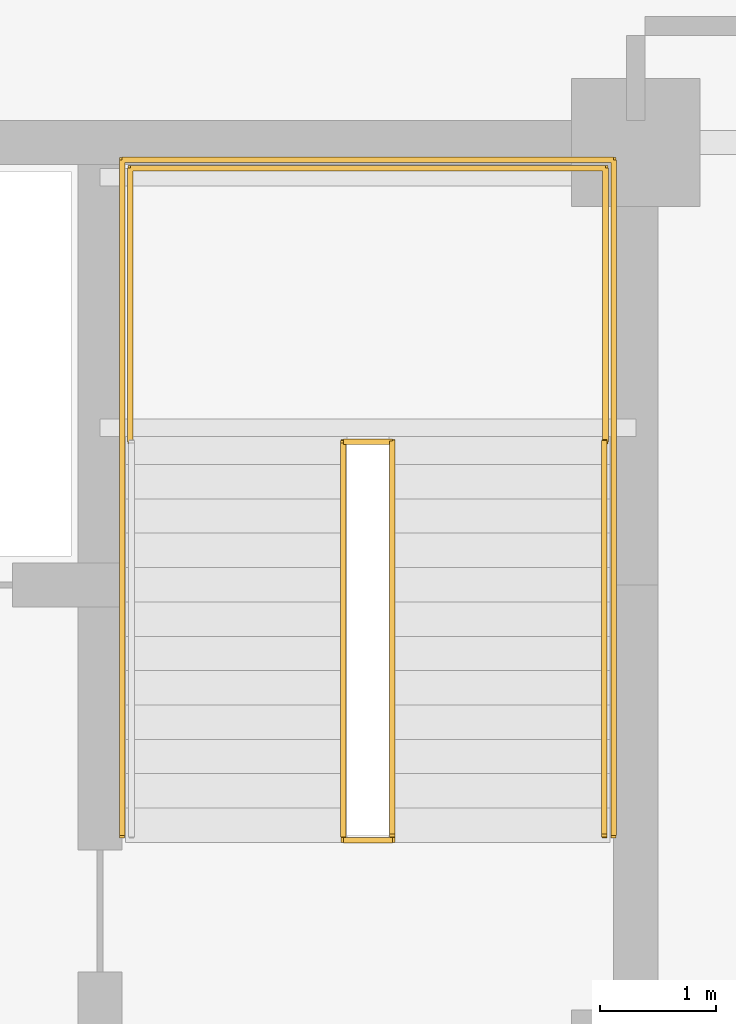
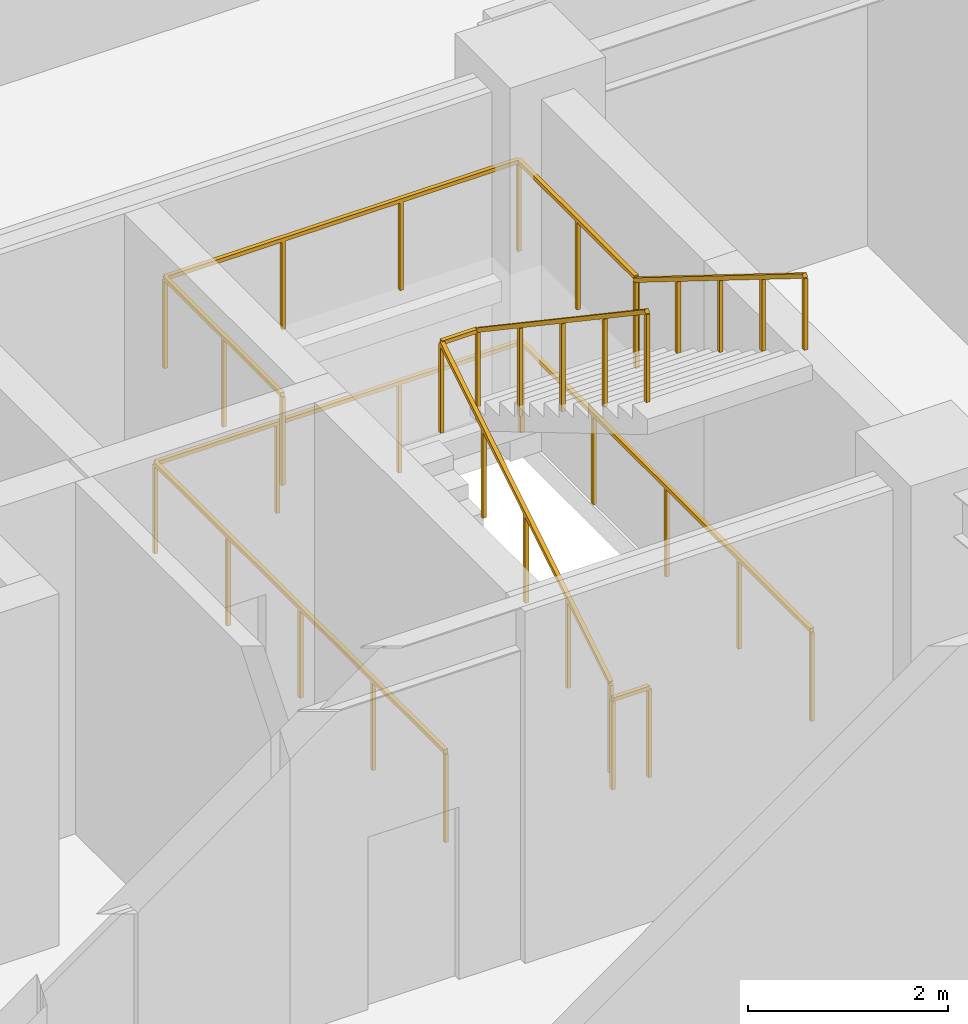
# One storey, part 26 of 26: 5 railings.
"""IFC4 building model written with IfcOpenShell, lengths in metres."""

import ifcopenshell
import ifcopenshell.guid

model = None  # the IFC model being written
_history = None  # IfcOwnerHistory: only IFC2X3 demands one
_inside = {}  # id of a spatial element -> (the spatial element, [elements in it])
_under = {}  # id of a project, library or spatial element -> (it, [spatial elements below it])
_declared = {}  # id of a project -> (the project, [libraries it declares])
_typed = {}  # id of a type object -> (the type object, [elements of that type])
_made_of = {}  # id of a material, layer set ... -> (it, [elements and type objects made of it])


def new_model(schema):
    """Start an empty IFC model of exactly this schema.

    Asked for "IFC4X3", IfcOpenShell would pick the latest addendum, in which some entities
    have other attributes; the version numbers below select the first issue.
    IFC2X3 requires an IfcOwnerHistory on every rooted entity: one is made here for all.
    """
    global model, _history
    if schema == "IFC4X3":
        model = ifcopenshell.file(schema_version=(4, 3, 0, 0))
    else:
        model = ifcopenshell.file(schema=schema)
    _inside.clear()
    _under.clear()
    _declared.clear()
    _typed.clear()
    _made_of.clear()
    _history = None
    if model.schema == "IFC2X3":
        org = make("IfcOrganization", Name="unknown")
        user = make(
            "IfcPersonAndOrganization",
            ThePerson=make("IfcPerson", FamilyName="unknown"),
            TheOrganization=org,
        )
        app = make(
            "IfcApplication",
            ApplicationDeveloper=org,
            Version="unknown",
            ApplicationFullName="unknown",
            ApplicationIdentifier="unknown",
        )
        _history = make(
            "IfcOwnerHistory",
            OwningUser=user,
            OwningApplication=app,
            ChangeAction="ADDED",
            CreationDate=0,
        )
    return model


def make(cls, **values):
    """One entity of the class cls with the attributes given. An attribute that is None is left unset."""
    return model.create_entity(
        cls, **{name: value for name, value in values.items() if value is not None}
    )


def rooted(cls, **values):
    """An entity with a GlobalId (a new one), such as an element, a storey or a relation."""
    return make(cls, GlobalId=ifcopenshell.guid.new(), OwnerHistory=_history, **values)


def si_unit(unit_type, name, prefix=None):
    """IfcSIUnit, for example si_unit("LENGTHUNIT", "METRE", prefix="MILLI")."""
    return make("IfcSIUnit", UnitType=unit_type, Prefix=prefix, Name=name)


def assignment(units):
    """IfcUnitAssignment: the units of a project."""
    return None if units is None else make("IfcUnitAssignment", Units=units)


def point(xyz):
    """IfcCartesianPoint."""
    return None if xyz is None else make("IfcCartesianPoint", Coordinates=xyz)


def direction(xyz):
    """IfcDirection."""
    return None if xyz is None else make("IfcDirection", DirectionRatios=xyz)


def frame(location, z_axis=None, x_axis=None):
    """IfcAxis2Placement3D, a coordinate frame: its origin and axes. An axis left out is left unset."""
    return make(
        "IfcAxis2Placement3D",
        Location=point(location),
        Axis=direction(z_axis),
        RefDirection=direction(x_axis),
    )


def frame_2d(location, x_axis=None):
    """IfcAxis2Placement2D, a coordinate frame in the plane: its origin and x axis."""
    return make(
        "IfcAxis2Placement2D", Location=point(location), RefDirection=direction(x_axis)
    )


def origin():
    """The frame at (0, 0, 0) with its axes left unset."""
    return frame((0.0, 0.0, 0.0))


def origin_2d():
    """The frame at (0, 0) in the plane with its x axis left unset."""
    return frame_2d((0.0, 0.0))


def place(relative_to, where):
    """IfcLocalPlacement: puts the frame where relative to a parent placement (None: the world)."""
    return make(
        "IfcLocalPlacement", PlacementRelTo=relative_to, RelativePlacement=where
    )


def context(
    kind, dimensions, precision=None, world=None, true_north=None, identifier=None
):
    """IfcGeometricRepresentationContext, for example the 3D "Model" context."""
    return make(
        "IfcGeometricRepresentationContext",
        ContextIdentifier=identifier,
        ContextType=kind,
        CoordinateSpaceDimension=dimensions,
        Precision=precision,
        WorldCoordinateSystem=world,
        TrueNorth=true_north,
    )


def subcontext(parent, identifier, kind, view, scale=None):
    """IfcGeometricRepresentationSubContext, for example "Body" below "Model"."""
    return make(
        "IfcGeometricRepresentationSubContext",
        ContextIdentifier=identifier,
        ContextType=kind,
        ParentContext=parent,
        TargetScale=scale,
        TargetView=view,
    )


def project(units=None, contexts=None):
    """IfcProject with its units and contexts."""
    return rooted(
        "IfcProject",
        Name="project",
        RepresentationContexts=contexts,
        UnitsInContext=assignment(units),
    )


def spatial(cls, under=None, at=None, **own):
    """A site, building, storey or space (cls), placed at a placement, below another one or the project."""
    s = rooted(cls, ObjectPlacement=at, **own)
    if under is not None:
        _under.setdefault(under.id(), (under, []))[1].append(s)
    return s


def profile(cls, at=None, kind="AREA", **sizes):
    """A parametric profile (cls). Its sizes go by their IFC names, for example OverallWidth=200.0."""
    return make(cls, ProfileType=kind, Position=at, **sizes)


def rectangle(**sizes):
    """IfcRectangleProfileDef."""
    return profile("IfcRectangleProfileDef", **sizes)


def extrude(swept, where, along, depth):
    """IfcExtrudedAreaSolid: the profile swept, set in the frame where, extruded along a direction by depth."""
    return make(
        "IfcExtrudedAreaSolid",
        SweptArea=swept,
        Position=where,
        ExtrudedDirection=direction(along),
        Depth=depth,
    )


def shape(context_of_items, identifier, shape_type, items):
    """IfcShapeRepresentation: the items that make up one representation, for example the "Body"."""
    return make(
        "IfcShapeRepresentation",
        ContextOfItems=context_of_items,
        RepresentationIdentifier=identifier,
        RepresentationType=shape_type,
        Items=items,
    )


def material(Name=None, Category=None):
    """IfcMaterial."""
    return make("IfcMaterial", Name=Name, Category=Category)


def layer(
    of_material, thickness, ventilated=None, Name=None, Category=None, Priority=None
):
    """IfcMaterialLayer: one layer of a wall or slab, of a material (None: an air gap)."""
    return make(
        "IfcMaterialLayer",
        Material=of_material,
        LayerThickness=thickness,
        IsVentilated=ventilated,
        Name=Name,
        Category=Category,
        Priority=Priority,
    )


def layer_set(layers, Name=None):
    """IfcMaterialLayerSet."""
    return make("IfcMaterialLayerSet", MaterialLayers=layers, LayerSetName=Name)


def made_of(thing, what):
    """Note that an element or type object is made of a material, layer set ...; save() writes the relation."""
    if what is not None:
        _made_of.setdefault(what.id(), (what, []))[1].append(thing)
    return thing


def type_object(cls, material=None, **own):
    """A type object (cls), such as IfcWallType, which elements share."""
    return made_of(rooted(cls, **own), material)


def element(
    cls,
    number,
    at=None,
    inside=None,
    cuts=None,
    type_object=None,
    material=None,
    context=None,
    identifier="Body",
    shape_type=None,
    held_by="IfcProductDefinitionShape",
    body=None,
    shapes=None,
    **own,
):
    """One element of the class cls, such as IfcWall. Its Tag is "e" and its number.

    at: its placement. inside: the storey or other place that contains it. cuts: it is an
    opening in that element (IfcRelVoidsElement). A single representation is given by context,
    identifier, shape_type and body (its items); several are given by shapes. held_by: the class
    of the entity that holds the representations. save() writes the other relations.
    """
    e = rooted(cls, Tag="e%d" % number, ObjectPlacement=at, **own)
    if body is not None:
        shapes = [shape(context, identifier, shape_type, body)]
    if shapes is not None:
        e.Representation = make(held_by, Representations=shapes)
    if inside is not None:
        _inside.setdefault(inside.id(), (inside, []))[1].append(e)
    if cuts is not None:
        rooted(
            "IfcRelVoidsElement", RelatingBuildingElement=cuts, RelatedOpeningElement=e
        )
    if type_object is not None:
        _typed.setdefault(type_object.id(), (type_object, []))[1].append(e)
    return made_of(e, material)


def aggregate(whole, parts):
    """IfcRelAggregates: a whole, such as a stair, and the parts it consists of."""
    return rooted("IfcRelAggregates", RelatingObject=whole, RelatedObjects=parts)


def save(model, path):
    """Write the relations noted so far, then the file.

    IfcRelAggregates (storeys below a building ...), IfcRelContainedInSpatialStructure (elements
    in a storey), IfcRelDefinesByType, IfcRelAssociatesMaterial and IfcRelDeclares: one each for
    every whole, place, type object, material and project.
    """
    for whole, parts in _under.values():
        aggregate(whole, parts)
    for where, things in _inside.values():
        rooted(
            "IfcRelContainedInSpatialStructure",
            RelatedElements=things,
            RelatingStructure=where,
        )
    for kind, things in _typed.values():
        rooted("IfcRelDefinesByType", RelatedObjects=things, RelatingType=kind)
    for what, things in _made_of.values():
        rooted("IfcRelAssociatesMaterial", RelatedObjects=things, RelatingMaterial=what)
    for by, libraries in _declared.values():
        rooted("IfcRelDeclares", RelatingContext=by, RelatedDefinitions=libraries)
    model.write(path)


model = new_model("IFC4")

# Units and contexts
model_context = context("Model", 3, precision=1e-05, world=origin(), true_north=direction((0.0, 1.0)))
body_context = subcontext(model_context, "Body", "Model", "MODEL_VIEW")
ifc_project = project(units=[si_unit("LENGTHUNIT", "METRE"), si_unit("AREAUNIT", "SQUARE_METRE"), si_unit("VOLUMEUNIT", "CUBIC_METRE"), si_unit("PLANEANGLEUNIT", "RADIAN"), si_unit("MASSUNIT", "GRAM", prefix="KILO")], contexts=[model_context])

# Site, building, storey
site_placement = place(None, origin())
site = spatial("IfcSite", under=ifc_project, at=site_placement, CompositionType="ELEMENT")
building_placement = place(site_placement, origin())
building = spatial("IfcBuilding", under=site, at=building_placement, Name="Taldren Reach Tower", CompositionType="ELEMENT")
storey_placement = place(building_placement, frame((0.0, 0.0, 8.39990234375)))
storey = spatial("IfcBuildingStorey", under=building, at=storey_placement, Name="L02", CompositionType="ELEMENT", Elevation=8.39990234375)

# Railings
ifc_material_1 = material(Name="Steel Gr 350 (C350L0)", Category="steel")
ifc_layer_1 = layer(ifc_material_1, 0.050048828125)
ifc_layer_set_1 = layer_set([ifc_layer_1], Name="Steel Gr 350 (C350L0)")
railing_type_1 = type_object("IfcRailingType", Name="RL-STAIR-GR", PredefinedType="GUARDRAIL", material=ifc_layer_set_1)
railing_1_placement = place(storey_placement, frame((46.659912109375, 29.429931640625, 2.275146484375)))
element("IfcRailing", 1, at=railing_1_placement, inside=storey, type_object=railing_type_1, Name="Stair half-landing perimeter guard ST2-L02", PredefinedType="GUARDRAIL", context=body_context, shape_type="SweptSolid", body=[
    extrude(rectangle(XDim=0.047852, YDim=0.047852, at=origin_2d()), frame((0.0, 0.0, 1.09619140625), z_axis=(0.0, 1.0, 0.0), x_axis=(-1.0, 0.0, 0.0)), (0.0, 0.0, 1.0), 2.35009765625),
    extrude(rectangle(XDim=0.047852, YDim=0.047852, at=origin_2d()), frame((0.0, 2.35009765625, 1.09619140625), z_axis=(1.0, 0.0, 0.0), x_axis=(0.0, 1.0, 0.0)), (0.0, 0.0, 1.0), 4.080078125),
    extrude(rectangle(XDim=0.047852, YDim=0.047852, at=origin_2d()), frame((4.080078125, 2.35009765625, 1.09619140625), z_axis=(0.0, -1.0, 0.0), x_axis=(1.0, 0.0, 0.0)), (0.0, 0.0, 1.0), 2.35009765625),
    extrude(rectangle(XDim=0.041992, YDim=0.041992, at=origin_2d()), origin(), (0.0, 0.0, 1.0), 1.072021484375),
    extrude(rectangle(XDim=0.041992, YDim=0.041992, at=origin_2d()), frame((0.0, 1.175048828125, 0.0)), (0.0, 0.0, 1.0), 1.072021484375),
    extrude(rectangle(XDim=0.041992, YDim=0.041992, at=origin_2d()), frame((0.0, 2.35009765625, 0.0)), (0.0, 0.0, 1.0), 1.072021484375),
    extrude(rectangle(XDim=0.041992, YDim=0.041992, at=origin_2d()), frame((1.360107421875, 2.35009765625, 0.0)), (0.0, 0.0, 1.0), 1.072021484375),
    extrude(rectangle(XDim=0.041992, YDim=0.041992, at=origin_2d()), frame((2.719970703125, 2.35009765625, 0.0)), (0.0, 0.0, 1.0), 1.072021484375),
    extrude(rectangle(XDim=0.041992, YDim=0.041992, at=origin_2d()), frame((4.080078125, 2.35009765625, 0.0)), (0.0, 0.0, 1.0), 1.072021484375),
    extrude(rectangle(XDim=0.041992, YDim=0.041992, at=origin_2d()), frame((4.080078125, 1.175048828125, 0.0)), (0.0, 0.0, 1.0), 1.072021484375),
    extrude(rectangle(XDim=0.041992, YDim=0.041992, at=origin_2d()), frame((4.080078125, 0.0, 0.0)), (0.0, 0.0, 1.0), 1.072021484375),
])
railing_2_placement = place(storey_placement, frame((48.489990234375, 26.050048828125, 0.175048828125)))
element("IfcRailing", 2, at=railing_2_placement, inside=storey, type_object=railing_type_1, Name="Stairwell inner guard ST2-L02", PredefinedType="GUARDRAIL", context=body_context, shape_type="SweptSolid", body=[
    extrude(rectangle(XDim=0.047852, YDim=0.047852, at=origin_2d()), frame((0.0, 0.0, 1.09619140625), z_axis=(0.0, 0.849387911102, 0.527769056003), x_axis=(-1.0, 0.0, 0.0)), (0.0, 0.0, 1.0), 3.979248046875),
    extrude(rectangle(XDim=0.047852, YDim=0.047852, at=origin_2d()), frame((0.0, 3.3798828125, 3.1962890625), z_axis=(1.0, 0.0, 0.0), x_axis=(0.0, 1.0, 0.0)), (0.0, 0.0, 1.0), 0.419921875),
    extrude(rectangle(XDim=0.047852, YDim=0.047852, at=origin_2d()), frame((0.419921875, 3.3798828125, 3.1962890625), z_axis=(0.0, -0.829589882859, 0.558373196221), x_axis=(1.0, 0.0, 0.0)), (0.0, 0.0, 1.0), 4.07421875),
    extrude(rectangle(XDim=0.041992, YDim=0.041992, at=origin_2d()), origin(), (0.0, 0.0, 1.0), 1.072021484375),
    extrude(rectangle(XDim=0.041992, YDim=0.041992, at=origin_2d()), frame((0.0, 0.844970703125, 0.52490234375)), (0.0, 0.0, 1.0), 1.072021484375),
    extrude(rectangle(XDim=0.041992, YDim=0.041992, at=origin_2d()), frame((0.0, 1.68994140625, 1.050048828125)), (0.0, 0.0, 1.0), 1.072021484375),
    extrude(rectangle(XDim=0.041992, YDim=0.041992, at=origin_2d()), frame((0.0, 2.534912109375, 1.5751953125)), (0.0, 0.0, 1.0), 1.072021484375),
    extrude(rectangle(XDim=0.041992, YDim=0.041992, at=origin_2d()), frame((0.0, 3.3798828125, 2.10009765625)), (0.0, 0.0, 1.0), 1.072021484375),
    extrude(rectangle(XDim=0.041992, YDim=0.041992, at=origin_2d()), frame((0.419921875, 3.3798828125, 2.10009765625)), (0.0, 0.0, 1.0), 1.072021484375),
    extrude(rectangle(XDim=0.041992, YDim=0.041992, at=origin_2d()), frame((0.419921875, 2.534912109375, 2.6689453125)), (0.0, 0.0, 1.0), 1.072021484375),
    extrude(rectangle(XDim=0.041992, YDim=0.041992, at=origin_2d()), frame((0.419921875, 1.68994140625, 3.237548828125)), (0.0, 0.0, 1.0), 1.072021484375),
    extrude(rectangle(XDim=0.041992, YDim=0.041992, at=origin_2d()), frame((0.419921875, 0.844970703125, 3.80615234375)), (0.0, 0.0, 1.0), 1.072021484375),
    extrude(rectangle(XDim=0.041992, YDim=0.041992, at=origin_2d()), frame((0.419921875, 0.0, 4.375)), (0.0, 0.0, 1.0), 1.072021484375),
])
railing_3_placement = place(storey_placement, frame((48.489990234375, 26.010009765625, 0.0)))
element("IfcRailing", 3, at=railing_3_placement, inside=storey, type_object=railing_type_1, Name="Stairwell landing slot guard ST2-L02", PredefinedType="GUARDRAIL", context=body_context, shape_type="SweptSolid", body=[
    extrude(rectangle(XDim=0.047852, YDim=0.047852, at=origin_2d()), frame((0.0, 0.0, 1.09619140625), z_axis=(1.0, 0.0, 0.0), x_axis=(0.0, 1.0, 0.0)), (0.0, 0.0, 1.0), 0.419921875),
    extrude(rectangle(XDim=0.041992, YDim=0.041992, at=origin_2d()), origin(), (0.0, 0.0, 1.0), 1.072021484375),
    extrude(rectangle(XDim=0.041992, YDim=0.041992, at=origin_2d()), frame((0.419921875, 0.0, 0.0)), (0.0, 0.0, 1.0), 1.072021484375),
])
railing_4_placement = place(storey_placement, frame((46.590087890625, 26.050048828125, 0.0)))
element("IfcRailing", 4, at=railing_4_placement, inside=storey, type_object=railing_type_1, Name="Stairwell floor opening guard ST2-L02", PredefinedType="GUARDRAIL", context=body_context, shape_type="SweptSolid", body=[
    extrude(rectangle(XDim=0.047852, YDim=0.047852, at=origin_2d()), frame((0.0, 0.0, 1.09619140625), z_axis=(0.0, 1.0, 0.0), x_axis=(-1.0, 0.0, 0.0)), (0.0, 0.0, 1.0), 5.800048828125),
    extrude(rectangle(XDim=0.047852, YDim=0.047852, at=origin_2d()), frame((0.0, 5.800048828125, 1.09619140625), z_axis=(1.0, 0.0, 0.0), x_axis=(0.0, 1.0, 0.0)), (0.0, 0.0, 1.0), 4.219970703125),
    extrude(rectangle(XDim=0.047852, YDim=0.047852, at=origin_2d()), frame((4.219970703125, 5.800048828125, 1.09619140625), z_axis=(0.0, -1.0, 0.0), x_axis=(1.0, 0.0, 0.0)), (0.0, 0.0, 1.0), 5.800048828125),
    extrude(rectangle(XDim=0.041992, YDim=0.041992, at=origin_2d()), origin(), (0.0, 0.0, 1.0), 1.072021484375),
    extrude(rectangle(XDim=0.041992, YDim=0.041992, at=origin_2d()), frame((0.0, 1.449951171875, 0.0)), (0.0, 0.0, 1.0), 1.072021484375),
    extrude(rectangle(XDim=0.041992, YDim=0.041992, at=origin_2d()), frame((0.0, 2.89990234375, 0.0)), (0.0, 0.0, 1.0), 1.072021484375),
    extrude(rectangle(XDim=0.041992, YDim=0.041992, at=origin_2d()), frame((0.0, 4.35009765625, 0.0)), (0.0, 0.0, 1.0), 1.072021484375),
    extrude(rectangle(XDim=0.041992, YDim=0.041992, at=origin_2d()), frame((0.0, 5.800048828125, 0.0)), (0.0, 0.0, 1.0), 1.072021484375),
    extrude(rectangle(XDim=0.041992, YDim=0.041992, at=origin_2d()), frame((1.40673828125, 5.800048828125, 0.0)), (0.0, 0.0, 1.0), 1.072021484375),
    extrude(rectangle(XDim=0.041992, YDim=0.041992, at=origin_2d()), frame((2.813232421875, 5.800048828125, 0.0)), (0.0, 0.0, 1.0), 1.072021484375),
    extrude(rectangle(XDim=0.041992, YDim=0.041992, at=origin_2d()), frame((4.219970703125, 5.800048828125, 0.0)), (0.0, 0.0, 1.0), 1.072021484375),
    extrude(rectangle(XDim=0.041992, YDim=0.041992, at=origin_2d()), frame((4.219970703125, 4.35009765625, 0.0)), (0.0, 0.0, 1.0), 1.072021484375),
    extrude(rectangle(XDim=0.041992, YDim=0.041992, at=origin_2d()), frame((4.219970703125, 2.89990234375, 0.0)), (0.0, 0.0, 1.0), 1.072021484375),
    extrude(rectangle(XDim=0.041992, YDim=0.041992, at=origin_2d()), frame((4.219970703125, 1.449951171875, 0.0)), (0.0, 0.0, 1.0), 1.072021484375),
    extrude(rectangle(XDim=0.041992, YDim=0.041992, at=origin_2d()), frame((4.219970703125, 0.0, 0.0)), (0.0, 0.0, 1.0), 1.072021484375),
])
ifc_material_2 = material(Name="Stainless Steel Gr 316", Category="steel")
ifc_layer_2 = layer(ifc_material_2, 0.048095703125)
ifc_layer_set_2 = layer_set([ifc_layer_2], Name="Stainless Steel Gr 316")
railing_type_2 = type_object("IfcRailingType", Name="RL-STAIR-HR", PredefinedType="HANDRAIL", material=ifc_layer_set_2)
railing_5_placement = place(storey_placement, frame((50.72998046875, 29.429931640625, 2.4501953125)))
element("IfcRailing", 5, at=railing_5_placement, inside=storey, type_object=railing_type_2, Name="Stair flight handrail ST2-L02-2", PredefinedType="HANDRAIL", context=body_context, shape_type="SweptSolid", body=[
    extrude(rectangle(XDim=0.047852, YDim=0.047852, at=origin_2d()), frame((0.0, 0.0, 0.89599609375), z_axis=(0.0, -0.849415414752, 0.527724789243), x_axis=(1.0, 0.0, 0.0)), (0.0, 0.0, 1.0), 3.97900390625),
    extrude(rectangle(XDim=0.041992, YDim=0.041992, at=origin_2d()), origin(), (0.0, 0.0, 1.0), 0.871826171875),
    extrude(rectangle(XDim=0.041992, YDim=0.041992, at=origin_2d()), frame((0.0, -0.844970703125, 0.52490234375)), (0.0, 0.0, 1.0), 0.871826171875),
    extrude(rectangle(XDim=0.041992, YDim=0.041992, at=origin_2d()), frame((0.0, -1.68994140625, 1.0498046875)), (0.0, 0.0, 1.0), 0.871826171875),
    extrude(rectangle(XDim=0.041992, YDim=0.041992, at=origin_2d()), frame((0.0, -2.534912109375, 1.574951171875)), (0.0, 0.0, 1.0), 0.871826171875),
    extrude(rectangle(XDim=0.041992, YDim=0.041992, at=origin_2d()), frame((0.0, -3.3798828125, 2.099853515625)), (0.0, 0.0, 1.0), 0.871826171875),
])

save(model, "model.ifc")
